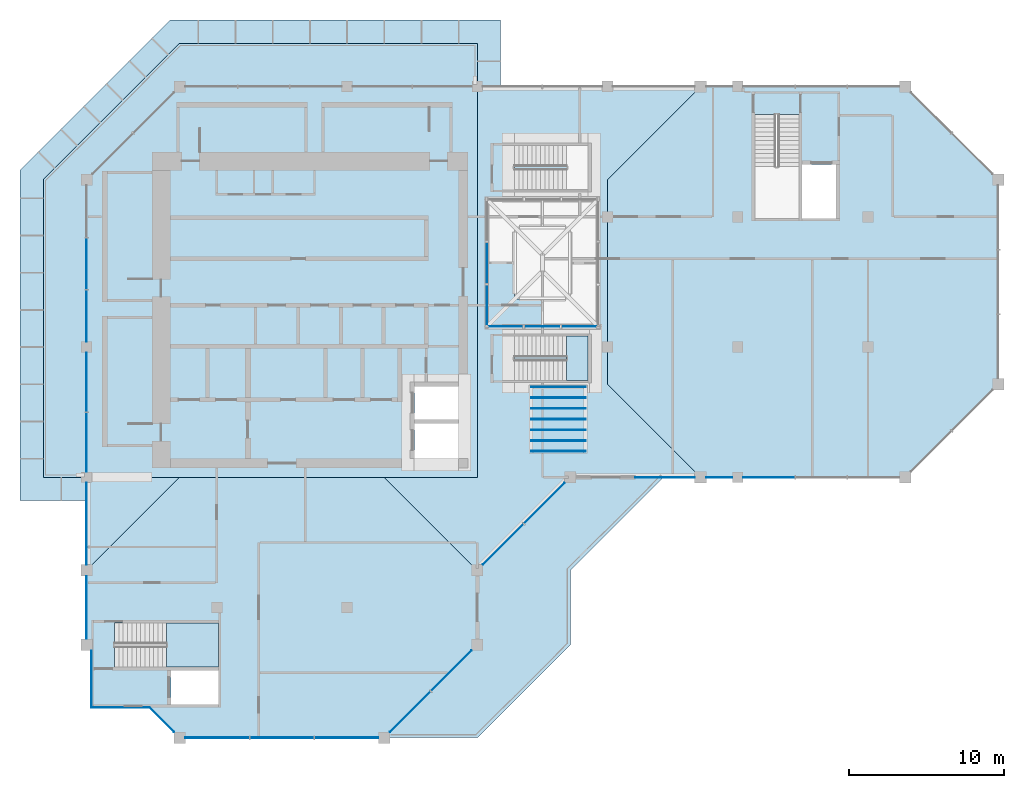
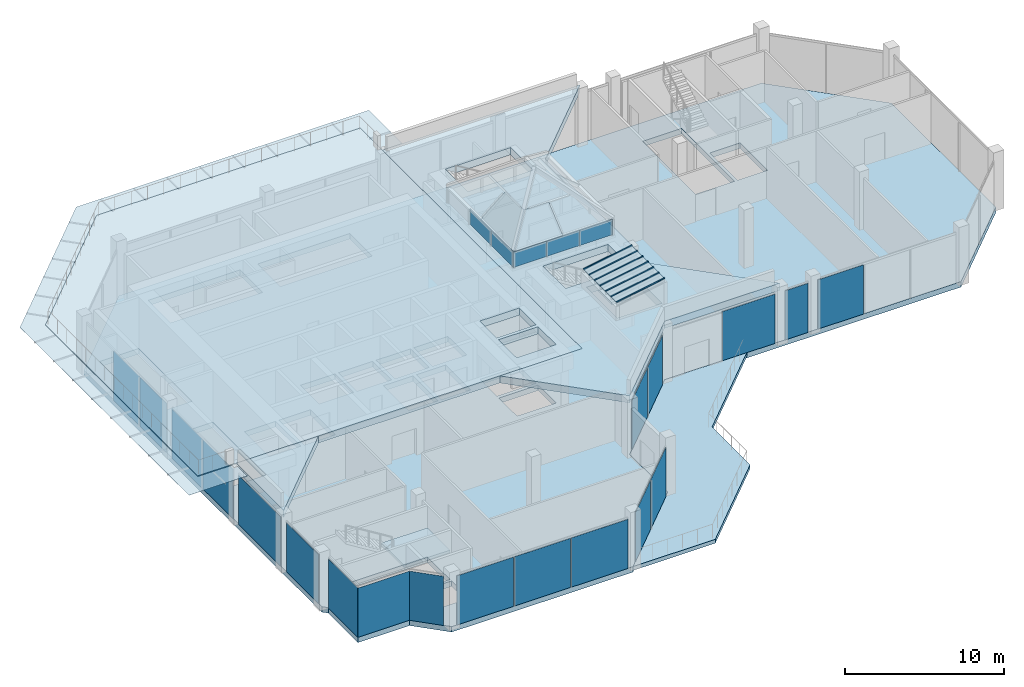
# One storey, part 6 of 15: 40 plates, 7 slabs, 10 elements without a shape of their own.
"""IFC4 building model written with IfcOpenShell, lengths in metres."""

from ifc_helpers import new_model, si_unit, direction, frame, origin, origin_2d, place, context, subcontext, project, spatial, polyline, rectangle, outline, extrude, material, layer, layer_set, type_object, element, aggregate, save


model = new_model("IFC4")

# Units and contexts
model_context = context("Model", 3, precision=1e-05, world=origin(), true_north=direction((0.0, 1.0)))
body_context = subcontext(model_context, "Body", "Model", "MODEL_VIEW")
ifc_project = project(units=[si_unit("LENGTHUNIT", "METRE"), si_unit("AREAUNIT", "SQUARE_METRE"), si_unit("VOLUMEUNIT", "CUBIC_METRE"), si_unit("PLANEANGLEUNIT", "RADIAN"), si_unit("MASSUNIT", "GRAM", prefix="KILO")], contexts=[model_context])

# Site, building, storey
site_placement = place(None, origin())
site = spatial("IfcSite", under=ifc_project, at=site_placement, CompositionType="ELEMENT")
building_placement = place(site_placement, origin())
building = spatial("IfcBuilding", under=site, at=building_placement, Name="Kawkab Arch Medical Tower", CompositionType="ELEMENT")
storey_placement = place(building_placement, frame((0.0, 0.0, 332.199951171875)))
storey = spatial("IfcBuildingStorey", under=building, at=storey_placement, Name="L77", CompositionType="ELEMENT", Elevation=332.199951171875)

# Curtain wall, plates
ifc_material_1 = material(Name="Bronze anodised aluminium curtain wall frame", Category="aluminium")
ifc_layer_1 = layer(ifc_material_1, 0.159912109375)
ifc_layer_set_1 = layer_set([ifc_layer_1], Name="Bronze anodised aluminium curtain wall frame")
curtain_wall_type = type_object("IfcCurtainWallType", Name="CW6 helipad lobby and crown glazing", PredefinedType="NOTDEFINED", material=ifc_layer_set_1)
placement_1 = place(storey_placement, origin())
curtain_wall_1 = element("IfcCurtainWall", 1, at=placement_1, inside=storey, type_object=curtain_wall_type, Name="CW6 Helipad lobby and crown glazing R02", PredefinedType="NOTDEFINED")
ifc_material_2 = material(Name="Tinted laminated insulating glass, low iron", Category="glass")
ifc_layer_2 = layer(ifc_material_2, 0.0400390625)
ifc_layer_set_2 = layer_set([ifc_layer_2], Name="Tinted laminated insulating glass, low iron")
plate_type_1 = type_object("IfcPlateType", Name="CW6 glazing unit 40", PredefinedType="CURTAIN_PANEL", material=ifc_layer_set_2)
plate_1_placement = place(storey_placement, frame((0.0, -11.41259765625, 0.0), z_axis=(0.0, 0.0, 1.0), x_axis=(0.0, -1.0, 0.0)))
plate_1 = element("IfcPlate", 2, at=plate_1_placement, type_object=plate_type_1, Name="CW6 glazing unit 1.2", PredefinedType="CURTAIN_PANEL", context=body_context, shape_type="SweptSolid", body=[
    extrude(rectangle(XDim=3.288330078125, YDim=0.0400390625, at=origin_2d()), origin(), (0.0, 0.0, 1.0), 3.7900390625),
])
plate_2_placement = place(storey_placement, frame((0.0, -14.788330078125, 0.0), z_axis=(0.0, 0.0, 1.0), x_axis=(0.0, -1.0, 0.0)))
plate_2 = element("IfcPlate", 3, at=plate_2_placement, type_object=plate_type_1, Name="CW6 glazing unit 1.3", PredefinedType="CURTAIN_PANEL", context=body_context, shape_type="SweptSolid", body=[
    extrude(rectangle(XDim=3.3232421875, YDim=0.0400390625, at=origin_2d()), origin(), (0.0, 0.0, 1.0), 3.7900390625),
])
plate_3_placement = place(storey_placement, frame((0.0, -19.0576171875, 0.0), z_axis=(0.0, 0.0, 1.0), x_axis=(0.0, -1.0, 0.0)))
plate_3 = element("IfcPlate", 4, at=plate_3_placement, type_object=plate_type_1, Name="CW6 glazing unit 2.1", PredefinedType="CURTAIN_PANEL", context=body_context, shape_type="SweptSolid", body=[
    extrude(rectangle(XDim=3.81494140625, YDim=0.0400390625, at=origin_2d()), origin(), (0.0, 0.0, 1.0), 3.7900390625),
])
plate_4_placement = place(storey_placement, frame((0.0, -22.9423828125, 0.0), z_axis=(0.0, 0.0, 1.0), x_axis=(0.0, -1.0, 0.0)))
plate_4 = element("IfcPlate", 5, at=plate_4_placement, type_object=plate_type_1, Name="CW6 glazing unit 2.2", PredefinedType="CURTAIN_PANEL", context=body_context, shape_type="SweptSolid", body=[
    extrude(rectangle(XDim=3.81494140625, YDim=0.0400390625, at=origin_2d()), origin(), (0.0, 0.0, 1.0), 3.7900390625),
])
plate_5_placement = place(storey_placement, frame((0.0, -28.1875, 0.0), z_axis=(0.0, 0.0, 1.0), x_axis=(0.0, -1.0, 0.0)))
plate_5 = element("IfcPlate", 6, at=plate_5_placement, type_object=plate_type_1, Name="CW6 glazing unit 3.1", PredefinedType="CURTAIN_PANEL", context=body_context, shape_type="SweptSolid", body=[
    extrude(rectangle(XDim=5.27490234375, YDim=0.0400390625, at=origin_2d()), origin(), (0.0, 0.0, 1.0), 3.7900390625),
])
plate_6_placement = place(storey_placement, frame((0.0, -33.60009765625, 0.0), z_axis=(0.0, 0.0, 1.0), x_axis=(0.0, -1.0, 0.0)))
plate_6 = element("IfcPlate", 7, at=plate_6_placement, type_object=plate_type_1, Name="CW6 glazing unit 4.1", PredefinedType="CURTAIN_PANEL", context=body_context, shape_type="SweptSolid", body=[
    extrude(rectangle(XDim=4.050048828125, YDim=0.0400390625, at=origin_2d()), origin(), (0.0, 0.0, 1.0), 3.7900390625),
])
aggregate(curtain_wall_1, [plate_1, plate_2, plate_3, plate_4, plate_5, plate_6])

# Curtain wall, plate
curtain_wall_2 = element("IfcCurtainWall", 8, at=placement_1, inside=storey, type_object=curtain_wall_type, Name="CW6 Helipad lobby and crown glazing R04", PredefinedType="NOTDEFINED")
plate_7_placement = place(storey_placement, frame((0.300048828125, -38.21240234375, 0.0), z_axis=(0.0, 0.0, 1.0), x_axis=(0.0, -1.0, 0.0)))
plate_7 = element("IfcPlate", 9, at=plate_7_placement, type_object=plate_type_1, Name="CW6 glazing unit 1.1", PredefinedType="CURTAIN_PANEL", context=body_context, shape_type="SweptSolid", body=[
    extrude(rectangle(XDim=3.675048828125, YDim=0.0400390625, at=origin_2d()), origin(), (0.0, 0.0, 1.0), 3.7900390625),
])
aggregate(curtain_wall_2, [plate_7])

curtain_wall_3 = element("IfcCurtainWall", 10, at=placement_1, inside=storey, type_object=curtain_wall_type, Name="CW6 Helipad lobby and crown glazing R05", PredefinedType="NOTDEFINED")
plate_8_placement = place(storey_placement, frame((2.175048828125, -40.050048828125, 0.0), z_axis=(0.0, 0.0, 1.0), x_axis=(1.0, 0.0, 0.0)))
plate_8 = element("IfcPlate", 11, at=plate_8_placement, type_object=plate_type_1, Name="CW6 glazing unit 1.1", PredefinedType="CURTAIN_PANEL", context=body_context, shape_type="SweptSolid", body=[
    extrude(rectangle(XDim=3.75, YDim=0.0400390625, at=origin_2d()), origin(), (0.0, 0.0, 1.0), 3.7900390625),
])
aggregate(curtain_wall_3, [plate_8])

curtain_wall_4 = element("IfcCurtainWall", 12, at=placement_1, inside=storey, type_object=curtain_wall_type, Name="CW6 Helipad lobby and crown glazing R06", PredefinedType="NOTDEFINED")
plate_9_placement = place(storey_placement, frame((4.83740234375, -40.83740234375, 0.0), z_axis=(0.0, 0.0, 1.0), x_axis=(0.707106781187, -0.707106781187, 0.0)))
plate_9 = element("IfcPlate", 13, at=plate_9_placement, type_object=plate_type_1, Name="CW6 glazing unit 1.1", PredefinedType="CURTAIN_PANEL", context=body_context, shape_type="SweptSolid", body=[
    extrude(rectangle(XDim=2.227294921875, YDim=0.0400390625, at=origin_2d()), origin(), (0.0, 0.0, 1.0), 3.7900390625),
])
aggregate(curtain_wall_4, [plate_9])

# Curtain wall, plates
curtain_wall_5 = element("IfcCurtainWall", 14, at=placement_1, inside=storey, type_object=curtain_wall_type, Name="CW6 Helipad lobby and crown glazing R07", PredefinedType="NOTDEFINED")
plate_10_placement = place(storey_placement, frame((8.4326171875, -42.0, 0.0), z_axis=(0.0, 0.0, 1.0), x_axis=(1.0, 0.0, 0.0)))
plate_10 = element("IfcPlate", 15, at=plate_10_placement, type_object=plate_type_1, Name="CW6 glazing unit 1.1", PredefinedType="CURTAIN_PANEL", context=body_context, shape_type="SweptSolid", body=[
    extrude(rectangle(XDim=4.114990234375, YDim=0.0400390625, at=origin_2d()), origin(), (0.0, 0.0, 1.0), 3.7900390625),
])
plate_11_placement = place(storey_placement, frame((12.60009765625, -42.0, 0.0), z_axis=(0.0, 0.0, 1.0), x_axis=(1.0, 0.0, 0.0)))
plate_11 = element("IfcPlate", 16, at=plate_11_placement, type_object=plate_type_1, Name="CW6 glazing unit 1.2", PredefinedType="CURTAIN_PANEL", context=body_context, shape_type="SweptSolid", body=[
    extrude(rectangle(XDim=4.080078125, YDim=0.0400390625, at=origin_2d()), origin(), (0.0, 0.0, 1.0), 3.7900390625),
])
plate_12_placement = place(storey_placement, frame((16.767578125, -42.0, 0.0), z_axis=(0.0, 0.0, 1.0), x_axis=(1.0, 0.0, 0.0)))
plate_12 = element("IfcPlate", 17, at=plate_12_placement, type_object=plate_type_1, Name="CW6 glazing unit 1.3", PredefinedType="CURTAIN_PANEL", context=body_context, shape_type="SweptSolid", body=[
    extrude(rectangle(XDim=4.114990234375, YDim=0.0400390625, at=origin_2d()), origin(), (0.0, 0.0, 1.0), 3.7900390625),
])
aggregate(curtain_wall_5, [plate_10, plate_11, plate_12])

curtain_wall_6 = element("IfcCurtainWall", 18, at=placement_1, inside=storey, type_object=curtain_wall_type, Name="CW6 Helipad lobby and crown glazing R08", PredefinedType="NOTDEFINED")
plate_13_placement = place(storey_placement, frame((20.875244140625, -40.324951171875, 0.0), z_axis=(0.0, 0.0, 1.0), x_axis=(0.707106781187, 0.707106781187, 0.0)))
plate_13 = element("IfcPlate", 19, at=plate_13_placement, type_object=plate_type_1, Name="CW6 glazing unit 1.1", PredefinedType="CURTAIN_PANEL", context=body_context, shape_type="SweptSolid", body=[
    extrude(rectangle(XDim=3.67724609375, YDim=0.0400390625, at=origin_2d()), origin(), (0.0, 0.0, 1.0), 3.7900390625),
])
plate_14_placement = place(storey_placement, frame((23.52490234375, -37.675048828125, 0.0), z_axis=(0.0, 0.0, 1.0), x_axis=(0.707106781187, 0.707106781187, 0.0)))
plate_14 = element("IfcPlate", 20, at=plate_14_placement, type_object=plate_type_1, Name="CW6 glazing unit 1.2", PredefinedType="CURTAIN_PANEL", context=body_context, shape_type="SweptSolid", body=[
    extrude(rectangle(XDim=3.67724609375, YDim=0.0400390625, at=origin_2d()), origin(), (0.0, 0.0, 1.0), 3.7900390625),
])
aggregate(curtain_wall_6, [plate_13, plate_14])

curtain_wall_7 = element("IfcCurtainWall", 21, at=placement_1, inside=storey, type_object=curtain_wall_type, Name="CW6 Helipad lobby and crown glazing R10", PredefinedType="NOTDEFINED")
plate_15_placement = place(storey_placement, frame((26.875244140625, -29.52490234375, 0.0), z_axis=(0.0, 0.0, 1.0), x_axis=(0.707106781187, 0.707106781187, 0.0)))
plate_15 = element("IfcPlate", 22, at=plate_15_placement, type_object=plate_type_1, Name="CW6 glazing unit 1.1", PredefinedType="CURTAIN_PANEL", context=body_context, shape_type="SweptSolid", body=[
    extrude(rectangle(XDim=3.67724609375, YDim=0.0400390625, at=origin_2d()), origin(), (0.0, 0.0, 1.0), 3.7900390625),
])
plate_16_placement = place(storey_placement, frame((29.52490234375, -26.875244140625, 0.0), z_axis=(0.0, 0.0, 1.0), x_axis=(0.707106781187, 0.707106781187, 0.0)))
plate_16 = element("IfcPlate", 23, at=plate_16_placement, type_object=plate_type_1, Name="CW6 glazing unit 1.2", PredefinedType="CURTAIN_PANEL", context=body_context, shape_type="SweptSolid", body=[
    extrude(rectangle(XDim=3.67724609375, YDim=0.0400390625, at=origin_2d()), origin(), (0.0, 0.0, 1.0), 3.7900390625),
])
aggregate(curtain_wall_7, [plate_15, plate_16])

curtain_wall_8 = element("IfcCurtainWall", 24, at=placement_1, inside=storey, type_object=curtain_wall_type, Name="CW6 Helipad lobby and crown glazing R11", PredefinedType="NOTDEFINED")
plate_17_placement = place(storey_placement, frame((37.3125, -25.199951171875, 0.0), z_axis=(0.0, 0.0, 1.0), x_axis=(1.0, 0.0, 0.0)))
plate_17 = element("IfcPlate", 25, at=plate_17_placement, type_object=plate_type_1, Name="CW6 glazing unit 1.2", PredefinedType="CURTAIN_PANEL", context=body_context, shape_type="SweptSolid", body=[
    extrude(rectangle(XDim=3.824951171875, YDim=0.0400390625, at=origin_2d()), origin(), (0.0, 0.0, 1.0), 3.7900390625),
])
plate_18_placement = place(storey_placement, frame((40.8125, -25.199951171875, 0.0), z_axis=(0.0, 0.0, 1.0), x_axis=(1.0, 0.0, 0.0)))
plate_18 = element("IfcPlate", 26, at=plate_18_placement, type_object=plate_type_1, Name="CW6 glazing unit 2.1", PredefinedType="CURTAIN_PANEL", context=body_context, shape_type="SweptSolid", body=[
    extrude(rectangle(XDim=1.675048828125, YDim=0.0400390625, at=origin_2d()), origin(), (0.0, 0.0, 1.0), 3.7900390625),
])
plate_19_placement = place(storey_placement, frame((44.01171875, -25.199951171875, 0.0), z_axis=(0.0, 0.0, 1.0), x_axis=(1.0, 0.0, 0.0)))
plate_19 = element("IfcPlate", 27, at=plate_19_placement, type_object=plate_type_1, Name="CW6 glazing unit 3.1", PredefinedType="CURTAIN_PANEL", context=body_context, shape_type="SweptSolid", body=[
    extrude(rectangle(XDim=3.3232421875, YDim=0.0400390625, at=origin_2d()), origin(), (0.0, 0.0, 1.0), 3.7900390625),
])
aggregate(curtain_wall_8, [plate_17, plate_18, plate_19])

# Plates
ifc_material_3 = material(Name="Laminated tinted glass", Category="glass")
ifc_layer_3 = layer(ifc_material_3, 0.031982421875)
ifc_layer_set_3 = layer_set([ifc_layer_3], Name="Laminated tinted glass")
plate_type_2 = type_object("IfcPlateType", Name="Crown glazing panel 32", PredefinedType="USERDEFINED", material=ifc_layer_set_3)
plate_20_placement = place(storey_placement, frame((25.800048828125, -15.5009765625, 4.650146484375), z_axis=(0.0, -1.0, 0.0), x_axis=(1.0, 0.0, 0.0)))
element("IfcPlate", 28, at=plate_20_placement, inside=storey, type_object=plate_type_2, Name="Glass roof skirt S bay 1", ObjectType="CROWN GLAZING", PredefinedType="USERDEFINED", context=body_context, shape_type="SweptSolid", body=[
    extrude(outline(polyline([(0.0, 0.0), (2.39990234375, 0.0), (2.39990234375, 1.199951171875), (0.0, 1.199951171875), (0.0, 0.0)])), origin(), (0.0, 0.0, -1.0), 0.031982421875),
])
plate_21_placement = place(storey_placement, frame((28.199951171875, -15.5009765625, 4.650146484375), z_axis=(0.0, -1.0, 0.0), x_axis=(1.0, 0.0, 0.0)))
element("IfcPlate", 29, at=plate_21_placement, inside=storey, type_object=plate_type_2, Name="Glass roof skirt S bay 2", ObjectType="CROWN GLAZING", PredefinedType="USERDEFINED", context=body_context, shape_type="SweptSolid", body=[
    extrude(outline(polyline([(0.0, 0.0), (2.400146484375, 0.0), (2.400146484375, 1.199951171875), (0.0, 1.199951171875), (0.0, 0.0)])), origin(), (0.0, 0.0, -1.0), 0.031982421875),
])
plate_22_placement = place(storey_placement, frame((30.60009765625, -15.5009765625, 4.650146484375), z_axis=(0.0, -1.0, 0.0), x_axis=(1.0, 0.0, 0.0)))
element("IfcPlate", 30, at=plate_22_placement, inside=storey, type_object=plate_type_2, Name="Glass roof skirt S bay 3", ObjectType="CROWN GLAZING", PredefinedType="USERDEFINED", context=body_context, shape_type="SweptSolid", body=[
    extrude(outline(polyline([(0.0, 0.0), (2.39990234375, 0.0), (2.39990234375, 1.199951171875), (0.0, 1.199951171875), (0.0, 0.0)])), origin(), (0.0, 0.0, -1.0), 0.031982421875),
])
for number, where, z_axis, x_axis, name in (
    (31, (25.800048828125, -10.0009765625, 4.650146484375), (-1.0, 0.0, 0.0), (0.0, -1.0, 0.0), "Glass roof skirt W bay 2"),
    (32, (25.800048828125, -12.7509765625, 4.650146484375), (-1.0, 0.0, 0.0), (0.0, -1.0, 0.0), "Glass roof skirt W bay 3"),
):
    element("IfcPlate", number, at=place(storey_placement, frame(where, z_axis=z_axis, x_axis=x_axis)), inside=storey, type_object=plate_type_2, Name=name, ObjectType="CROWN GLAZING", PredefinedType="USERDEFINED", context=body_context, shape_type="SweptSolid", body=[
        extrude(outline(polyline([(0.0, 0.0), (2.75, 0.0), (2.75, 1.199951171875), (0.0, 1.199951171875), (0.0, 0.0)])), origin(), (0.0, 0.0, -1.0), 0.031982421875),
    ])
plate_23_placement = place(storey_placement, frame((25.800048828125, -15.5009765625, 5.85009765625), z_axis=(0.0, -0.642746050735, 0.766079313299), x_axis=(1.0, 0.0, 0.0)))
element("IfcPlate", 33, at=plate_23_placement, inside=storey, type_object=plate_type_2, Name="Glass roof glazing S row 1 bay 1", ObjectType="CROWN GLAZING", PredefinedType="USERDEFINED", context=body_context, shape_type="SweptSolid", body=[
    extrude(outline(polyline([(0.0, 0.0), (3.599853515625, 0.0), (3.599853515625, 2.349689904003839), (1.800048828125, 2.349689904003839), (0.0, 0.0)])), origin(), (0.0, 0.0, -1.0), 0.031982421875),
])
plate_24_placement = place(storey_placement, frame((25.800048828125, -11.3759765625, 5.85009765625), z_axis=(-0.642746050735, 0.0, 0.766079313299), x_axis=(0.0, -1.0, 0.0)))
element("IfcPlate", 34, at=plate_24_placement, inside=storey, type_object=plate_type_2, Name="Glass roof glazing W row 1 bay 2", ObjectType="CROWN GLAZING", PredefinedType="USERDEFINED", context=body_context, shape_type="SweptSolid", body=[
    extrude(outline(polyline([(0.0, 0.0), (4.125, 0.0), (2.324951171875, 2.349689904003839), (0.0, 2.349689904003839), (0.0, 0.0)])), origin(), (0.0, 0.0, -1.0), 0.031982421875),
])

# Stair, slab
ifc_material_4 = material(Name="Concrete C40/50", Category="concrete")
stair_type = type_object("IfcStairType", Name="Exit stair 1350", PredefinedType="HALF_TURN_STAIR", material=ifc_material_4)
stair_1 = element("IfcStair", 35, at=placement_1, inside=storey, type_object=stair_type, Name="L77 Exit stair DS1", PredefinedType="HALF_TURN_STAIR")
ifc_material_5 = material(Name="Concrete C40/50", Category="concrete")
ifc_layer_4 = layer(ifc_material_5, 0.199951171875)
ifc_layer_set_4 = layer_set([ifc_layer_4], Name="Concrete C40/50")
slab_type_1 = type_object("IfcSlabType", Name="Exit stair landing 200", PredefinedType="LANDING", material=ifc_layer_set_4)
placement_2 = place(storey_placement, frame((0.0, 0.0, 2.050048828125)))
slab_1 = element("IfcSlab", 36, at=placement_2, type_object=slab_type_1, Name="DS1 landing 1", PredefinedType="LANDING", context=body_context, shape_type="SweptSolid", body=[
    extrude(outline(polyline([(30.9599609375, -18.949951171875), (32.35009765625, -18.949951171875), (32.35009765625, -16.10009765625), (30.9599609375, -16.10009765625), (30.9599609375, -18.949951171875)])), origin(), (0.0, 0.0, 1.0), 0.199951171875),
])
aggregate(stair_1, [slab_1])

stair_2 = element("IfcStair", 37, at=placement_1, inside=storey, type_object=stair_type, Name="L77 Exit stair ST6", PredefinedType="HALF_TURN_STAIR")
slab_2 = element("IfcSlab", 38, at=placement_2, type_object=slab_type_1, Name="ST6 landing 1", PredefinedType="LANDING", context=body_context, shape_type="SweptSolid", body=[
    extrude(outline(polyline([(5.159912109375, -37.449951171875), (8.5, -37.449951171875), (8.5, -34.60009765625), (5.159912109375, -34.60009765625), (5.159912109375, -37.449951171875)])), origin(), (0.0, 0.0, 1.0), 0.199951171875),
])
aggregate(stair_2, [slab_2])

# Slab
ifc_material_6 = material(Name="Concrete C45/55", Category="concrete")
ifc_layer_5 = layer(ifc_material_6, 0.419921875)
ifc_layer_set_5 = layer_set([ifc_layer_5], Name="Concrete C45/55")
slab_type_2 = type_object("IfcSlabType", Name="Flat plate 420 C45/55", PredefinedType="FLOOR", material=ifc_layer_set_5)
slab_3_placement = place(storey_placement, frame((0.0, 0.0, -0.419921875)))
element("IfcSlab", 39, at=slab_3_placement, inside=storey, type_object=slab_type_2, Name="Floor slab L77", PredefinedType="FLOOR", context=body_context, shape_type="SweptSolid", body=[
    extrude(outline(polyline([(52.800048828125, 0.0), (58.800048828125, -6.0), (58.800048828125, -19.199951171875), (52.800048828125, -25.199951171875), (31.199951171875, -25.199951171875), (25.199951171875, -31.199951171875), (25.199951171875, -36.0), (19.199951171875, -42.0), (6.0, -42.0), (4.050048828125, -40.050048828125), (0.300048828125, -40.050048828125), (0.300048828125, -36.300048828125), (0.0, -36.0), (0.0, -6.0), (6.0, 0.0), (52.800048828125, 0.0)]), holes=[polyline([(5.425048828125, -37.64990234375), (5.425048828125, -39.85009765625), (8.5, -39.85009765625), (8.5, -37.64990234375), (5.425048828125, -37.64990234375)]), polyline([(8.5, -37.449951171875), (8.5, -34.60009765625), (1.800048828125, -34.60009765625), (1.800048828125, -37.449951171875), (8.5, -37.449951171875)]), polyline([(5.39990234375, -20.050048828125), (7.675048828125, -20.050048828125), (7.675048828125, -16.89990234375), (5.39990234375, -16.89990234375), (5.39990234375, -20.050048828125)]), polyline([(10.199951171875, -16.89990234375), (7.925048828125, -16.89990234375), (7.925048828125, -20.050048828125), (10.199951171875, -20.050048828125), (10.199951171875, -16.89990234375)]), polyline([(4.199951171875, -15.0), (1.35009765625, -15.0), (1.35009765625, -21.699951171875), (4.199951171875, -21.699951171875), (4.199951171875, -15.0)]), polyline([(11.0, -14.25), (11.0, -16.60009765625), (13.52490234375, -16.60009765625), (13.52490234375, -14.25), (11.0, -14.25)]), polyline([(13.77490234375, -14.25), (13.77490234375, -16.60009765625), (16.27490234375, -16.60009765625), (16.27490234375, -14.25), (13.77490234375, -14.25)]), polyline([(4.199951171875, -12.35009765625), (4.199951171875, -5.64990234375), (1.35009765625, -5.64990234375), (1.35009765625, -12.35009765625), (4.199951171875, -12.35009765625)]), polyline([(7.35009765625, -4.199951171875), (14.050048828125, -4.199951171875), (14.050048828125, -1.35009765625), (7.35009765625, -1.35009765625), (7.35009765625, -4.199951171875)]), polyline([(24.0, -21.72509765625), (21.14990234375, -21.72509765625), (21.14990234375, -24.0), (24.0, -24.0), (24.0, -21.72509765625)]), polyline([(24.0, -19.35009765625), (21.14990234375, -19.35009765625), (21.14990234375, -21.47509765625), (24.0, -21.47509765625), (24.0, -19.35009765625)]), polyline([(17.675048828125, -20.050048828125), (17.675048828125, -16.89990234375), (15.52490234375, -16.89990234375), (15.52490234375, -20.050048828125), (17.675048828125, -20.050048828125)]), polyline([(20.050048828125, -20.050048828125), (20.050048828125, -16.89990234375), (17.925048828125, -16.89990234375), (17.925048828125, -20.050048828125), (20.050048828125, -20.050048828125)]), polyline([(19.02490234375, -16.60009765625), (19.02490234375, -14.25), (16.52490234375, -14.25), (16.52490234375, -16.60009765625), (19.02490234375, -16.60009765625)]), polyline([(19.27490234375, -16.60009765625), (21.75, -16.60009765625), (21.75, -14.25), (19.27490234375, -14.25), (19.27490234375, -16.60009765625)]), polyline([(46.14990234375, -8.5), (48.35009765625, -8.5), (48.35009765625, -5.02490234375), (46.14990234375, -5.02490234375), (46.14990234375, -8.5)]), polyline([(43.10009765625, -1.800048828125), (43.10009765625, -8.5), (45.949951171875, -8.5), (45.949951171875, -1.800048828125), (43.10009765625, -1.800048828125)]), polyline([(22.050048828125, -1.35009765625), (15.35009765625, -1.35009765625), (15.35009765625, -4.199951171875), (22.050048828125, -4.199951171875), (22.050048828125, -1.35009765625)])]), origin(), (0.0, 0.0, 1.0), 0.419921875),
])

# Plates
ifc_material_7 = material(Name="Bronze anodised aluminium glazing bar", Category="aluminium")
ifc_layer_6 = layer(ifc_material_7, 0.06005859375)
ifc_layer_set_6 = layer_set([ifc_layer_6], Name="Bronze anodised aluminium glazing bar")
plate_type_3 = type_object("IfcPlateType", Name="Glazing bar 50 x 60", PredefinedType="USERDEFINED", material=ifc_layer_set_6)
plate_25_placement = place(storey_placement, frame((28.675048828125, -19.39990234375, 5.896484375), z_axis=(-0.173659930291, 0.0, 0.984805680635), x_axis=(0.984805680635, 0.0, 0.173659930291)))
element("IfcPlate", 40, at=plate_25_placement, inside=storey, type_object=plate_type_3, Name="Glazing bar 1", ObjectType="GLAZING BAR", PredefinedType="USERDEFINED", context=body_context, shape_type="SweptSolid", body=[
    extrude(outline(polyline([(0.0, 0.0), (3.5540006204496155, 0.0), (3.5540006204496155, 0.0498046875), (0.0, 0.0498046875), (0.0, 0.0)])), origin(), (0.0, 0.0, -1.0), 0.06005859375),
])
plate_26_placement = place(storey_placement, frame((28.675048828125, -20.091796875, 5.896484375), z_axis=(-0.173659930291, 0.0, 0.984805680635), x_axis=(0.984805680635, 0.0, 0.173659930291)))
element("IfcPlate", 41, at=plate_26_placement, inside=storey, type_object=plate_type_3, Name="Glazing bar 2", ObjectType="GLAZING BAR", PredefinedType="USERDEFINED", context=body_context, shape_type="SweptSolid", body=[
    extrude(outline(polyline([(0.0, 0.0), (3.5540006204496155, 0.0), (3.5540006204496155, 0.050048828125000014), (0.0, 0.050048828125000014), (0.0, 0.0)])), origin(), (0.0, 0.0, -1.0), 0.06005859375),
])
plate_27_placement = place(storey_placement, frame((28.675048828125, -20.783203125, 5.896484375), z_axis=(-0.173659930291, 0.0, 0.984805680635), x_axis=(0.984805680635, 0.0, 0.173659930291)))
element("IfcPlate", 42, at=plate_27_placement, inside=storey, type_object=plate_type_3, Name="Glazing bar 3", ObjectType="GLAZING BAR", PredefinedType="USERDEFINED", context=body_context, shape_type="SweptSolid", body=[
    extrude(outline(polyline([(0.0, 0.0), (3.5540006204496155, 0.0), (3.5540006204496155, 0.0498046875), (0.0, 0.0498046875), (0.0, 0.0)])), origin(), (0.0, 0.0, -1.0), 0.06005859375),
])
for number, where, z_axis, x_axis, name in (
    (43, (28.675048828125, -21.47509765625, 5.896484375), (-0.173659930291, 0.0, 0.984805680635), (0.984805680635, 0.0, 0.173659930291), "Glazing bar 4"),
    (44, (28.675048828125, -22.166748046875, 5.896484375), (-0.173659930291, 0.0, 0.984805680635), (0.984805680635, 0.0, 0.173659930291), "Glazing bar 5"),
    (45, (28.675048828125, -22.8583984375, 5.896484375), (-0.173659930291, 0.0, 0.984805680635), (0.984805680635, 0.0, 0.173659930291), "Glazing bar 6"),
    (46, (28.675048828125, -23.550048828125, 5.896484375), (-0.173659930291, 0.0, 0.984805680635), (0.984805680635, 0.0, 0.173659930291), "Glazing bar 7"),
):
    element("IfcPlate", number, at=place(storey_placement, frame(where, z_axis=z_axis, x_axis=x_axis)), inside=storey, type_object=plate_type_3, Name=name, ObjectType="GLAZING BAR", PredefinedType="USERDEFINED", context=body_context, shape_type="SweptSolid", body=[
        extrude(outline(polyline([(0.0, 0.0), (3.5540006204496155, 0.0), (3.5540006204496155, 0.050048828125000014), (0.0, 0.050048828125000014), (0.0, 0.0)])), origin(), (0.0, 0.0, -1.0), 0.06005859375),
    ])

# Slab
ifc_material_8 = material(Name="Concrete C45/55", Category="concrete")
ifc_layer_7 = layer(ifc_material_8, 0.550048828125)
ifc_layer_set_7 = layer_set([ifc_layer_7], Name="Concrete C45/55")
slab_type_3 = type_object("IfcSlabType", Name="Helideck maintenance roof slab 550 C45/55", PredefinedType="ROOF", material=ifc_layer_set_7)
placement_3 = place(storey_placement, frame((0.0, 0.0, 3.949951171875)))
element("IfcSlab", 47, at=placement_3, inside=storey, type_object=slab_type_3, Name="Helideck maintenance roof slab", PredefinedType="ROOF", context=body_context, shape_type="SweptSolid", body=[
    extrude(outline(polyline([(-2.800048828125, -6.0), (6.0, 2.800048828125), (25.199951171875, 2.800048828125), (25.199951171875, -25.199951171875), (-2.800048828125, -25.199951171875), (-2.800048828125, -6.0)]), holes=[polyline([(21.125, -24.0), (24.0, -24.0), (24.0, -21.72509765625), (21.125, -21.72509765625), (21.125, -24.0)]), polyline([(21.125, -21.47509765625), (24.0, -21.47509765625), (24.0, -19.35009765625), (21.125, -19.35009765625), (21.125, -21.47509765625)])]), origin(), (0.0, 0.0, 1.0), 0.550048828125),
])

# Plates
ifc_material_9 = material(Name="Stainless steel wire safety net", Category="steel")
ifc_layer_8 = layer(ifc_material_9, 0.02001953125)
ifc_layer_set_8 = layer_set([ifc_layer_8], Name="Stainless steel wire safety net")
plate_type_4 = type_object("IfcPlateType", Name="Helideck safety net 20", PredefinedType="USERDEFINED", material=ifc_layer_set_8)
plate_28_placement = place(storey_placement, frame((0.0, 0.0, 4.429931640625)))
element("IfcPlate", 48, at=plate_28_placement, inside=storey, type_object=plate_type_4, Name="Helideck safety net 1", ObjectType="SAFETY NET", PredefinedType="USERDEFINED", context=body_context, shape_type="SweptSolid", body=[
    extrude(outline(polyline([(-4.300048828125, -26.699951171875), (-0.050048828125, -26.699951171875), (-0.050048828125, -25.199951171875), (-2.800048828125, -25.199951171875), (-2.800048828125, -6.0), (6.0, 2.800048828125), (25.199951171875, 2.800048828125), (25.199951171875, 0.050048828125), (26.699951171875, 0.050048828125), (26.699951171875, 4.300048828125), (5.37890625, 4.300048828125), (-4.300048828125, -5.37890625), (-4.300048828125, -26.699951171875)])), origin(), (0.0, 0.0, 1.0), 0.02001953125),
])
ifc_material_10 = material(Name="Laminated low iron roof glass", Category="glass")
ifc_layer_9 = layer(ifc_material_10, 0.031982421875)
ifc_layer_set_9 = layer_set([ifc_layer_9], Name="Laminated low iron roof glass")
plate_type_5 = type_object("IfcPlateType", Name="Roof glazing unit 32", PredefinedType="SHEET", material=ifc_layer_set_9)
for number, where, z_axis, x_axis, name in (
    (49, (28.675048828125, -19.375, 5.835693359375), (-0.173593306182, 0.0, 0.984817426759), (0.984817426759, 0.0, 0.173593306182), "Roof glazing unit 1"),
    (50, (28.675048828125, -20.066650390625, 5.835693359375), (-0.173593306182, 0.0, 0.984817426759), (0.984817426759, 0.0, 0.173593306182), "Roof glazing unit 2"),
    (51, (28.675048828125, -20.75830078125, 5.835693359375), (-0.173593306182, 0.0, 0.984817426759), (0.984817426759, 0.0, 0.173593306182), "Roof glazing unit 3"),
    (52, (28.675048828125, -21.449951171875, 5.835693359375), (-0.173593306182, 0.0, 0.984817426759), (0.984817426759, 0.0, 0.173593306182), "Roof glazing unit 4"),
    (53, (28.675048828125, -22.1416015625, 5.835693359375), (-0.173593306182, 0.0, 0.984817426759), (0.984817426759, 0.0, 0.173593306182), "Roof glazing unit 5"),
    (54, (28.675048828125, -22.833251953125, 5.835693359375), (-0.173593306182, 0.0, 0.984817426759), (0.984817426759, 0.0, 0.173593306182), "Roof glazing unit 6"),
):
    element("IfcPlate", number, at=place(storey_placement, frame(where, z_axis=z_axis, x_axis=x_axis)), inside=storey, type_object=plate_type_5, Name=name, PredefinedType="SHEET", context=body_context, shape_type="SweptSolid", body=[
        extrude(outline(polyline([(0.0, 0.0), (3.553958231138474, 0.0), (3.553958231138474, -0.691650390625), (0.0, -0.691650390625), (0.0, 0.0)])), origin(), (0.0, 0.0, -1.0), 0.031982421875),
    ])

# Slabs
ifc_material_11 = material(Name="Concrete C40/50", Category="concrete")
ifc_layer_10 = layer(ifc_material_11, 0.300048828125)
ifc_layer_set_10 = layer_set([ifc_layer_10], Name="Concrete C40/50")
slab_type_4 = type_object("IfcSlabType", Name="Terrace slab 300", PredefinedType="FLOOR", material=ifc_layer_set_10)
slab_5_placement = place(storey_placement, frame((0.0, 0.0, -0.300048828125)))
element("IfcSlab", 55, at=slab_5_placement, inside=storey, type_object=slab_type_4, Name="Roof terrace slab L77.1", PredefinedType="FLOOR", context=body_context, shape_type="SweptSolid", body=[
    extrude(outline(polyline([(31.199951171875, -31.199951171875), (37.181884765625, -25.218017578125), (37.18310546875, -25.217041015625), (37.18408203125, -25.216064453125), (37.18408203125, -25.215087890625), (37.18505859375, -25.214111328125), (37.18505859375, -25.212890625), (37.18505859375, -25.2119140625), (37.18505859375, -25.2109375), (37.18505859375, -25.2099609375), (37.18505859375, -25.208984375), (37.18505859375, -25.2080078125), (37.18505859375, -25.20703125), (37.18408203125, -25.2060546875), (37.18408203125, -25.205078125), (37.18310546875, -25.2041015625), (37.181884765625, -25.202880859375), (37.180908203125, -25.201904296875), (37.179931640625, -25.201904296875), (37.178955078125, -25.200927734375), (37.177978515625, -25.200927734375), (37.177001953125, -25.200927734375), (37.176025390625, -25.200927734375), (37.175048828125, -25.199951171875), (31.2041015625, -25.199951171875), (31.202880859375, -25.200927734375), (31.201904296875, -25.200927734375), (31.200927734375, -25.200927734375), (31.199951171875, -25.201904296875), (31.198974609375, -25.201904296875), (31.197998046875, -25.202880859375), (31.197021484375, -25.202880859375), (25.202880859375, -31.197021484375), (25.202880859375, -31.197998046875), (25.201904296875, -31.198974609375), (25.201904296875, -31.199951171875), (25.200927734375, -31.200927734375), (25.200927734375, -31.201904296875), (25.200927734375, -31.202880859375), (25.199951171875, -31.2041015625), (25.199951171875, -36.0), (19.218017578125, -41.98291015625), (19.217041015625, -41.98388671875), (19.216064453125, -41.985107421875), (19.216064453125, -41.986083984375), (19.215087890625, -41.987060546875), (19.215087890625, -41.988037109375), (19.215087890625, -41.989013671875), (19.215087890625, -41.989990234375), (19.215087890625, -41.990966796875), (19.215087890625, -41.991943359375), (19.215087890625, -41.992919921875), (19.216064453125, -41.993896484375), (19.216064453125, -41.9951171875), (19.217041015625, -41.99609375), (19.218017578125, -41.9970703125), (19.218994140625, -41.998046875), (19.219970703125, -41.9990234375), (19.220947265625, -41.9990234375), (19.221923828125, -42.0), (19.222900390625, -42.0), (19.22412109375, -42.0), (19.22509765625, -42.0), (25.196044921875, -42.0), (25.197021484375, -42.0), (25.197998046875, -42.0), (25.198974609375, -42.0), (25.199951171875, -41.9990234375), (25.200927734375, -41.9990234375), (25.200927734375, -41.998046875), (25.201904296875, -41.998046875), (25.202880859375, -41.9970703125), (31.197021484375, -36.0029296875), (31.197998046875, -36.001953125), (31.197998046875, -36.0009765625), (31.198974609375, -36.0009765625), (31.198974609375, -36.0), (31.199951171875, -35.9990234375), (31.199951171875, -35.998046875), (31.199951171875, -35.9970703125), (31.199951171875, -35.99609375), (31.199951171875, -31.199951171875)])), origin(), (0.0, 0.0, 1.0), 0.300048828125),
])
ifc_material_12 = material(Name="Concrete C45/55", Category="concrete")
ifc_layer_11 = layer(ifc_material_12, 0.550048828125)
ifc_layer_set_11 = layer_set([ifc_layer_11], Name="Concrete C45/55")
slab_type_5 = type_object("IfcSlabType", Name="Wing roof slab 550", PredefinedType="ROOF", material=ifc_layer_set_11)
element("IfcSlab", 56, at=placement_3, inside=storey, type_object=slab_type_5, Name="Roof slab over the helipad lobby wing 1", PredefinedType="ROOF", context=body_context, shape_type="SweptSolid", body=[
    extrude(outline(polyline([(25.199951171875, -31.199951171875), (31.199951171875, -25.199951171875), (39.60009765625, -25.199951171875), (33.60009765625, -19.199951171875), (33.60009765625, -6.0), (39.60009765625, 0.0), (25.199951171875, 0.0), (25.199951171875, -25.199951171875), (19.199951171875, -25.199951171875), (25.199951171875, -31.199951171875)]), holes=[polyline([(28.800048828125, -19.5), (32.050048828125, -19.5), (32.050048828125, -23.39990234375), (28.800048828125, -23.39990234375), (28.800048828125, -19.5)]), polyline([(32.35009765625, -18.949951171875), (27.60009765625, -18.949951171875), (27.60009765625, -16.10009765625), (32.35009765625, -16.10009765625), (32.35009765625, -18.949951171875)]), polyline([(27.60009765625, -6.64990234375), (27.60009765625, -3.800048828125), (32.35009765625, -3.800048828125), (32.35009765625, -6.64990234375), (27.60009765625, -6.64990234375)])]), origin(), (0.0, 0.0, 1.0), 0.550048828125),
])
element("IfcSlab", 57, at=placement_3, inside=storey, type_object=slab_type_5, Name="Roof slab over the helipad lobby wing 2", PredefinedType="ROOF", context=body_context, shape_type="SweptSolid", body=[
    extrude(outline(polyline([(0.0, -31.199951171875), (6.0, -25.199951171875), (0.0, -25.199951171875), (0.0, -31.199951171875)])), origin(), (0.0, 0.0, 1.0), 0.550048828125),
])

save(model, "model.ifc")
